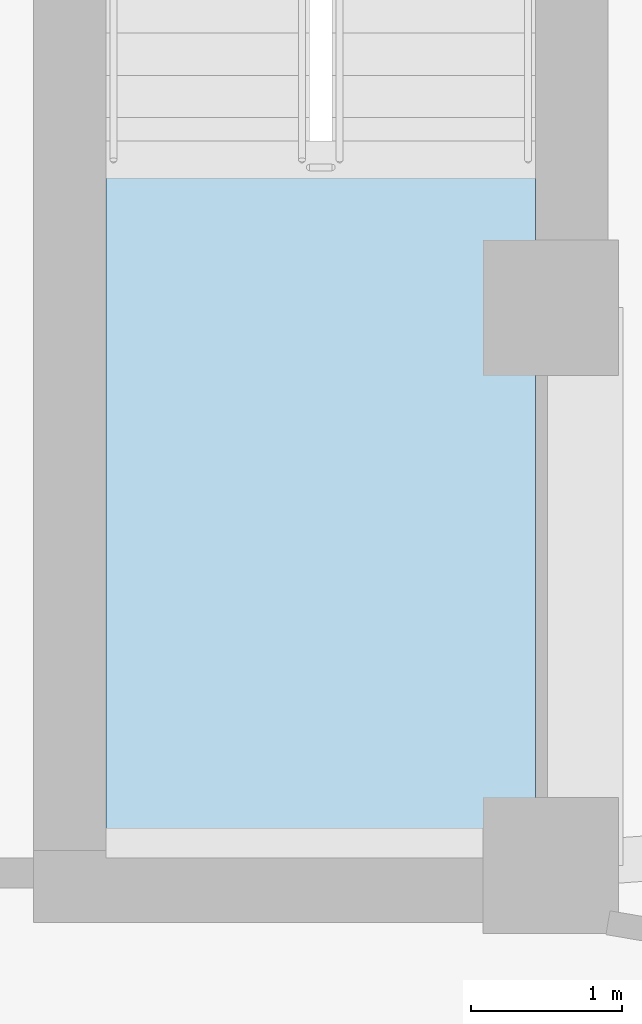
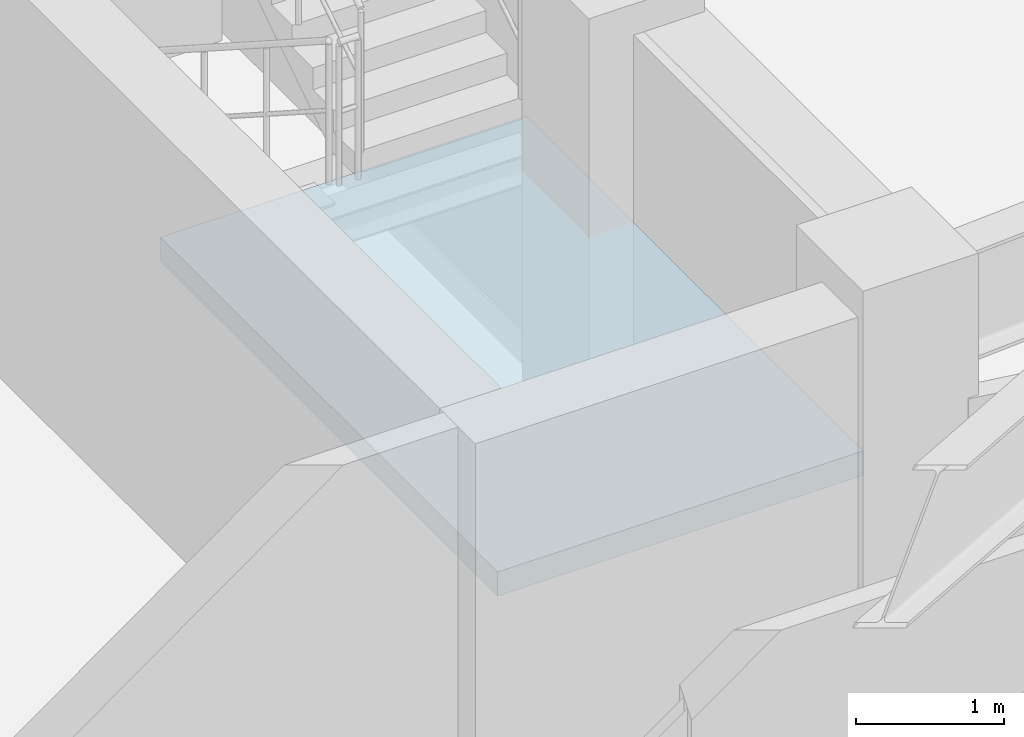
# One storey, part 3 of 13: 1 slab, 1 element without a shape of its own.
"""IFC4 building model written with IfcOpenShell, lengths in metres."""

from ifc_helpers import new_model, si_unit, direction, frame, origin, place, context, subcontext, project, spatial, polyline, outline, extrude, material, layer, layer_set, type_object, element, aggregate, save


model = new_model("IFC4")

# Units and contexts
model_context = context("Model", 3, precision=1e-05, world=origin(), true_north=direction((0.0, 1.0)))
body_context = subcontext(model_context, "Body", "Model", "MODEL_VIEW")
ifc_project = project(units=[si_unit("LENGTHUNIT", "METRE"), si_unit("AREAUNIT", "SQUARE_METRE"), si_unit("VOLUMEUNIT", "CUBIC_METRE"), si_unit("PLANEANGLEUNIT", "RADIAN"), si_unit("MASSUNIT", "GRAM", prefix="KILO")], contexts=[model_context])

# Site, building, storey
site_placement = place(None, origin())
site = spatial("IfcSite", under=ifc_project, at=site_placement, CompositionType="ELEMENT")
building_placement = place(site_placement, origin())
building = spatial("IfcBuilding", under=site, at=building_placement, Name="Miruveldt Soraemaru", CompositionType="ELEMENT")
storey_placement = place(building_placement, frame((0.0, 0.0, 205.199951171875)))
storey = spatial("IfcBuildingStorey", under=building, at=storey_placement, Name="L56", CompositionType="ELEMENT", Elevation=205.199951171875)

# Stair, slab
ifc_material = material(Name="Concrete C40/50 (40 MPa)", Category="concrete")
stair_type = type_object("IfcStairType", Name="STAIR-DL-360", PredefinedType="HALF_TURN_STAIR", material=ifc_material)
stair_placement = place(storey_placement, origin())
stair = element("IfcStair", 1, at=stair_placement, inside=storey, type_object=stair_type, Name="L56 Protected Exit Stair ST-2", PredefinedType="HALF_TURN_STAIR")
ifc_layer = layer(ifc_material, 0.199951171875, Name="Concrete C40/50 (40 MPa)", Category="concrete")
ifc_layer_set = layer_set([ifc_layer], Name="Concrete C40/50 (40 MPa)")
slab_type = type_object("IfcSlabType", Name="SLAB-LAND-200", PredefinedType="LANDING", material=ifc_layer_set)
slab_placement = place(storey_placement, frame((0.0, 0.0, 1.60009765625)))
slab = element("IfcSlab", 2, at=slab_placement, type_object=slab_type, Name="ST-2 landing 1", PredefinedType="LANDING", context=body_context, shape_type="SweptSolid", body=[
    extrude(outline(polyline([(49.550048828125, 40.197998046875), (49.550048828125, 35.64990234375), (52.39990234375, 35.64990234375), (52.39990234375, 40.197998046875), (49.550048828125, 40.197998046875)])), origin(), (0.0, 0.0, 1.0), 0.199951171875),
])
aggregate(stair, [slab])

save(model, "model.ifc")
